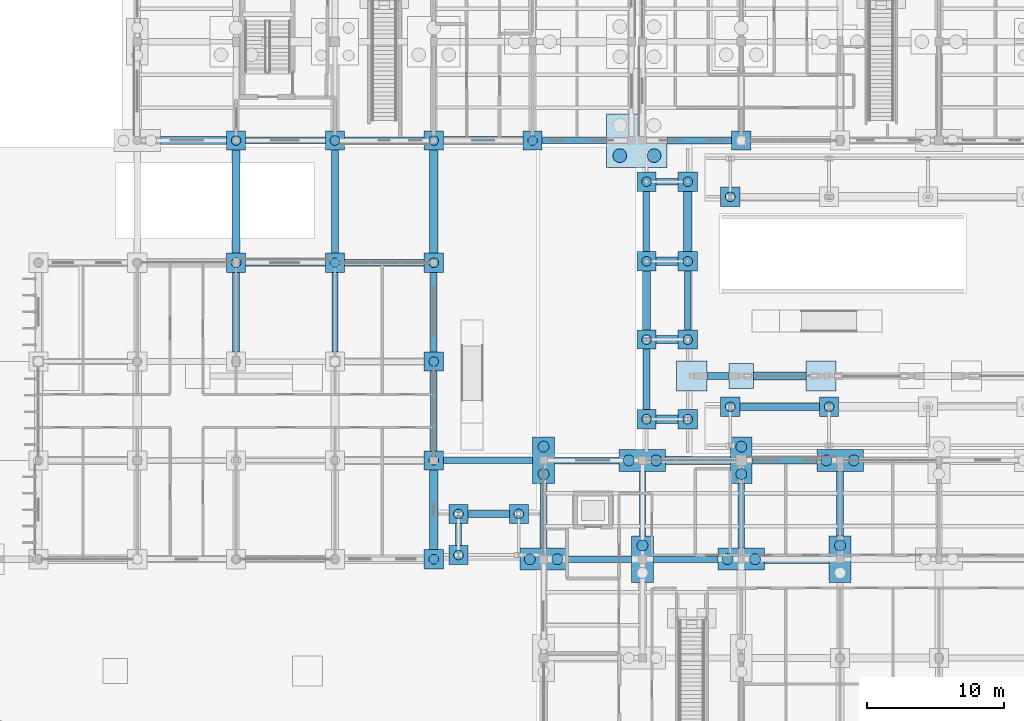
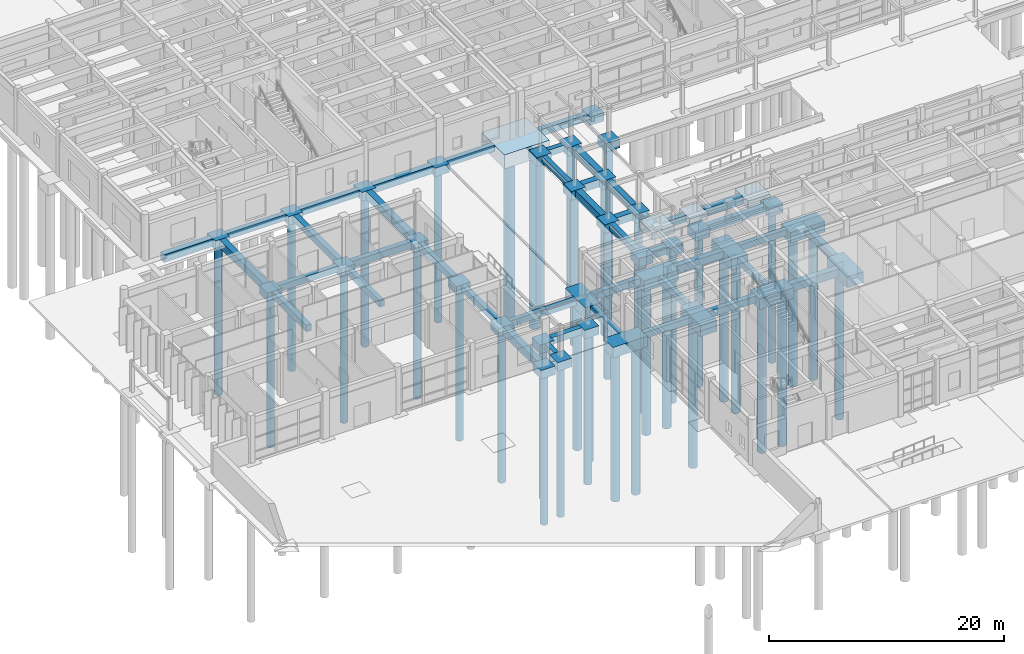
# One storey, part 2 of 143: 78 footings, 40 piles.
"""IFC4 building model written with IfcOpenShell, lengths in metres."""

from ifc_helpers import new_model, si_unit, direction, frame, origin, origin_2d, place, context, subcontext, project, spatial, rectangle, circle, extrude, material, material_profile, profile_set, type_object, element, save


model = new_model("IFC4")

# Units and contexts
model_context = context("Model", 3, precision=1e-05, world=origin(), true_north=direction((0.0, 1.0)))
body_context = subcontext(model_context, "Body", "Model", "MODEL_VIEW")
ifc_project = project(units=[si_unit("LENGTHUNIT", "METRE"), si_unit("AREAUNIT", "SQUARE_METRE"), si_unit("VOLUMEUNIT", "CUBIC_METRE"), si_unit("PLANEANGLEUNIT", "RADIAN"), si_unit("MASSUNIT", "GRAM", prefix="KILO")], contexts=[model_context])

# Site, building, storey
site_placement = place(None, origin())
site = spatial("IfcSite", under=ifc_project, at=site_placement, CompositionType="ELEMENT")
building_placement = place(site_placement, origin())
building = spatial("IfcBuilding", under=site, at=building_placement, Name="Steenspoor Specialist Clinic", CompositionType="ELEMENT")
storey_placement = place(building_placement, origin())
storey = spatial("IfcBuildingStorey", under=building, at=storey_placement, Name="L00", CompositionType="ELEMENT", Elevation=0.0)

# Footings
ifc_material = material(Name="Concrete C35/45", Category="concrete")
footing_type_1 = type_object("IfcFootingType", Name="FTG-PAD-180", PredefinedType="PAD_FOOTING", material=ifc_material)
footing_1_placement = place(storey_placement, frame((59.60009765625, 48.0, -0.64990234375), z_axis=(0.0, 0.0, 1.0), x_axis=(1.0, 0.0, 0.0)))
element("IfcFooting", 1, at=footing_1_placement, inside=storey, type_object=footing_type_1, Name="Pad Footing FTG-PAD-055", PredefinedType="PAD_FOOTING", context=body_context, shape_type="SweptSolid", body=[
    extrude(rectangle(XDim=1.800048828125, YDim=1.800048828125, at=origin_2d()), origin(), (0.0, 0.0, 1.0), 0.64990234375),
])
footing_type_2 = type_object("IfcFootingType", Name="FTG-PAD-220", PredefinedType="PAD_FOOTING", material=ifc_material)
for number, where, z_axis, x_axis, name in (
    (2, (56.0, 48.0, -0.75), (0.0, 0.0, 1.0), (1.0, 0.0, 0.0), "Pad Footing FTG-PAD-054"),
    (3, (65.39990234375, 48.0, -0.75), (0.0, 0.0, 1.0), (1.0, 0.0, 0.0), "Pad Footing FTG-PAD-056"),
):
    element("IfcFooting", number, at=place(storey_placement, frame(where, z_axis=z_axis, x_axis=x_axis)), inside=storey, type_object=footing_type_2, Name=name, PredefinedType="PAD_FOOTING", context=body_context, shape_type="SweptSolid", body=[
        extrude(rectangle(XDim=2.199951171875, YDim=2.199951171875, at=origin_2d()), origin(), (0.0, 0.0, 1.0), 0.75),
    ])
footing_type_3 = type_object("IfcFootingType", Name="FTG-PC-1P-700", PredefinedType="PILE_CAP", material=ifc_material)
for number, where, z_axis, x_axis, name in (
    (4, (22.800048828125, 56.25, -0.89990234375), (0.0, 0.0, 1.0), (1.0, 0.0, 0.0), "Pile Cap FTG-PC-091"),
    (5, (30.0, 56.25, -0.89990234375), (0.0, 0.0, 1.0), (1.0, 0.0, 0.0), "Pile Cap FTG-PC-095"),
    (6, (37.199951171875, 34.64990234375, -0.89990234375), (0.0, 0.0, 1.0), (1.0, 0.0, 0.0), "Pile Cap FTG-PC-096"),
    (7, (37.199951171875, 41.85009765625, -0.89990234375), (0.0, 0.0, 1.0), (1.0, 0.0, 0.0), "Pile Cap FTG-PC-097"),
    (8, (37.199951171875, 49.050048828125, -0.89990234375), (0.0, 0.0, 1.0), (1.0, 0.0, 0.0), "Pile Cap FTG-PC-098"),
    (9, (37.199951171875, 56.25, -0.89990234375), (0.0, 0.0, 1.0), (1.0, 0.0, 0.0), "Pile Cap FTG-PC-099"),
    (10, (59.60009765625, 65.14990234375, -0.89990234375), (0.0, 0.0, 1.0), (1.0, 0.0, 0.0), "Pile Cap FTG-PC-107"),
    (11, (22.800048828125, 65.14990234375, -0.89990234375), (0.0, 0.0, 1.0), (1.0, 0.0, 0.0), "Pile Cap FTG-PC-173"),
    (12, (30.0, 65.14990234375, -0.89990234375), (0.0, 0.0, 1.0), (1.0, 0.0, 0.0), "Pile Cap FTG-PC-178"),
    (13, (37.199951171875, 65.14990234375, -0.89990234375), (0.0, 0.0, 1.0), (1.0, 0.0, 0.0), "Pile Cap FTG-PC-185"),
    (14, (44.39990234375, 65.14990234375, -0.89990234375), (0.0, 0.0, 1.0), (1.0, 0.0, 0.0), "Pile Cap FTG-PC-192"),
    (15, (52.699951171875, 44.85009765625, -0.89990234375), (0.0, 0.0, 1.0), (1.0, 0.0, 0.0), "Pad Footing FTG-PAD-009"),
    (16, (55.699951171875, 44.85009765625, -0.89990234375), (0.0, 0.0, 1.0), (1.0, 0.0, 0.0), "Pad Footing FTG-PAD-010"),
    (17, (52.699951171875, 50.64990234375, -0.89990234375), (0.0, 0.0, 1.0), (1.0, 0.0, 0.0), "Pad Footing FTG-PAD-011"),
    (18, (55.699951171875, 50.64990234375, -0.89990234375), (0.0, 0.0, 1.0), (1.0, 0.0, 0.0), "Pad Footing FTG-PAD-012"),
    (19, (52.699951171875, 56.35009765625, -0.89990234375), (0.0, 0.0, 1.0), (1.0, 0.0, 0.0), "Pad Footing FTG-PAD-013"),
    (20, (55.699951171875, 56.35009765625, -0.89990234375), (0.0, 0.0, 1.0), (1.0, 0.0, 0.0), "Pad Footing FTG-PAD-014"),
    (21, (52.699951171875, 62.14990234375, -0.89990234375), (0.0, 0.0, 1.0), (1.0, 0.0, 0.0), "Pad Footing FTG-PAD-015"),
    (22, (55.699951171875, 62.14990234375, -0.89990234375), (0.0, 0.0, 1.0), (1.0, 0.0, 0.0), "Pad Footing FTG-PAD-016"),
    (23, (39.0, 34.949951171875, -0.89990234375), (0.0, 0.0, 1.0), (1.0, 0.0, 0.0), "Pad Footing FTG-PAD-025"),
    (24, (39.0, 37.949951171875, -0.89990234375), (0.0, 0.0, 1.0), (1.0, 0.0, 0.0), "Pad Footing FTG-PAD-026"),
    (25, (43.39990234375, 37.949951171875, -0.89990234375), (0.0, 0.0, 1.0), (1.0, 0.0, 0.0), "Pad Footing FTG-PAD-027"),
    (26, (58.800048828125, 61.050048828125, -0.89990234375), (0.0, 0.0, 1.0), (1.0, 0.0, 0.0), "Pad Footing FTG-PAD-028"),
    (27, (58.800048828125, 45.75, -0.89990234375), (0.0, 0.0, 1.0), (1.0, 0.0, 0.0), "Pad Footing FTG-PAD-037"),
    (28, (66.0, 45.75, -0.89990234375), (0.0, 0.0, 1.0), (1.0, 0.0, 0.0), "Pad Footing FTG-PAD-038"),
):
    element("IfcFooting", number, at=place(storey_placement, frame(where, z_axis=z_axis, x_axis=x_axis)), inside=storey, type_object=footing_type_3, Name=name, PredefinedType="PILE_CAP", context=body_context, shape_type="SweptSolid", body=[
        extrude(rectangle(XDim=1.39990234375, YDim=1.39990234375, at=origin_2d()), origin(), (0.0, 0.0, 1.0), 0.89990234375),
    ])
footing_type_4 = type_object("IfcFootingType", Name="FTG-PC-2P-800X", PredefinedType="PILE_CAP", material=ifc_material)
for number, where, z_axis, x_axis, name in (
    (29, (45.199951171875, 34.64990234375, -1.10009765625), (0.0, 0.0, 1.0), (1.0, 0.0, 0.0), "Pile Cap FTG-PC-004"),
    (30, (52.39990234375, 41.85009765625, -1.10009765625), (0.0, 0.0, 1.0), (1.0, 0.0, 0.0), "Pile Cap FTG-PC-008"),
    (31, (59.60009765625, 34.64990234375, -1.10009765625), (0.0, 0.0, 1.0), (1.0, 0.0, 0.0), "Pile Cap FTG-PC-012"),
    (32, (66.800048828125, 41.85009765625, -1.10009765625), (0.0, 0.0, 1.0), (1.0, 0.0, 0.0), "Pile Cap FTG-PC-018"),
):
    element("IfcFooting", number, at=place(storey_placement, frame(where, z_axis=z_axis, x_axis=x_axis)), inside=storey, type_object=footing_type_4, Name=name, PredefinedType="PILE_CAP", context=body_context, shape_type="SweptSolid", body=[
        extrude(rectangle(XDim=3.39990234375, YDim=1.60009765625, at=origin_2d()), origin(), (0.0, 0.0, 1.0), 1.10009765625),
    ])
footing_type_5 = type_object("IfcFootingType", Name="FTG-PC-2P-800Y", PredefinedType="PILE_CAP", material=ifc_material)
for number, where, z_axis, x_axis, name in (
    (33, (45.199951171875, 41.85009765625, -1.14990234375), (0.0, 0.0, 1.0), (1.0, 0.0, 0.0), "Pile Cap FTG-PC-005"),
    (34, (52.39990234375, 34.64990234375, -1.14990234375), (0.0, 0.0, 1.0), (1.0, 0.0, 0.0), "Pile Cap FTG-PC-007"),
    (35, (59.60009765625, 41.85009765625, -1.14990234375), (0.0, 0.0, 1.0), (1.0, 0.0, 0.0), "Pile Cap FTG-PC-013"),
    (36, (66.800048828125, 34.64990234375, -1.14990234375), (0.0, 0.0, 1.0), (1.0, 0.0, 0.0), "Pile Cap FTG-PC-017"),
):
    element("IfcFooting", number, at=place(storey_placement, frame(where, z_axis=z_axis, x_axis=x_axis)), inside=storey, type_object=footing_type_5, Name=name, PredefinedType="PILE_CAP", context=body_context, shape_type="SweptSolid", body=[
        extrude(rectangle(XDim=1.60009765625, YDim=3.39990234375, at=origin_2d()), origin(), (0.0, 0.0, 1.0), 1.14990234375),
    ])
footing_type_6 = type_object("IfcFootingType", Name="FTG-PC-SJ-4P", PredefinedType="PILE_CAP", material=ifc_material)
footing_2_placement = place(storey_placement, frame((52.0, 65.14990234375, -1.4501953125), z_axis=(0.0, 0.0, 1.0), x_axis=(1.0, 0.0, 0.0)))
element("IfcFooting", 37, at=footing_2_placement, inside=storey, type_object=footing_type_6, Name="Pile Cap FTG-PC-100", PredefinedType="PILE_CAP", context=body_context, shape_type="SweptSolid", body=[
    extrude(rectangle(XDim=4.39990234375, YDim=3.89990234375, at=origin_2d()), origin(), (0.0, 0.0, 1.0), 1.449951171875),
])
footing_type_7 = type_object("IfcFootingType", Name="FTG-TB-450X650", PredefinedType="FOOTING_BEAM", material=ifc_material)
footing_3_placement = place(storey_placement, frame((49.25, 34.64990234375, -0.64990234375), z_axis=(0.0, 0.0, 1.0), x_axis=(1.0, 0.0, 0.0)))
element("IfcFooting", 38, at=footing_3_placement, inside=storey, type_object=footing_type_7, Name="Seismic Tie Beam FTG-TB-053", PredefinedType="FOOTING_BEAM", context=body_context, shape_type="SweptSolid", body=[
    extrude(rectangle(XDim=4.699951171875, YDim=0.449951171875, at=origin_2d()), origin(), (0.0, 0.0, 1.0), 0.64990234375),
])
footing_4_placement = place(storey_placement, frame((41.14990234375, 41.85009765625, -0.64990234375), z_axis=(0.0, 0.0, 1.0), x_axis=(1.0, 0.0, 0.0)))
element("IfcFooting", 39, at=footing_4_placement, inside=storey, type_object=footing_type_7, Name="Seismic Tie Beam FTG-TB-074", PredefinedType="FOOTING_BEAM", context=body_context, shape_type="SweptSolid", body=[
    extrude(rectangle(XDim=6.5, YDim=0.449951171875, at=origin_2d()), origin(), (0.0, 0.0, 1.0), 0.64990234375),
])
footing_5_placement = place(storey_placement, frame((62.75, 41.85009765625, -0.64990234375), z_axis=(0.0, 0.0, 1.0), x_axis=(1.0, 0.0, 0.0)))
element("IfcFooting", 40, at=footing_5_placement, inside=storey, type_object=footing_type_7, Name="Seismic Tie Beam FTG-TB-077", PredefinedType="FOOTING_BEAM", context=body_context, shape_type="SweptSolid", body=[
    extrude(rectangle(XDim=4.699951171875, YDim=0.449951171875, at=origin_2d()), origin(), (0.0, 0.0, 1.0), 0.64990234375),
])
footing_6_placement = place(storey_placement, frame((26.39990234375, 56.25, -0.64990234375), z_axis=(0.0, 0.0, 1.0), x_axis=(1.0, 0.0, 0.0)))
element("IfcFooting", 41, at=footing_6_placement, inside=storey, type_object=footing_type_7, Name="Seismic Tie Beam FTG-TB-116", PredefinedType="FOOTING_BEAM", context=body_context, shape_type="SweptSolid", body=[
    extrude(rectangle(XDim=5.800048828125, YDim=0.449951171875, at=origin_2d()), origin(), (0.0, 0.0, 1.0), 0.64990234375),
])
footing_7_placement = place(storey_placement, frame((54.199951171875, 62.14990234375, -0.64990234375), z_axis=(0.0, 0.0, 1.0), x_axis=(1.0, 0.0, 0.0)))
element("IfcFooting", 42, at=footing_7_placement, inside=storey, type_object=footing_type_7, Name="Seismic Tie Beam FTG-TB-128", PredefinedType="FOOTING_BEAM", context=body_context, shape_type="SweptSolid", body=[
    extrude(rectangle(XDim=1.60009765625, YDim=0.449951171875, at=origin_2d()), origin(), (0.0, 0.0, 1.0), 0.64990234375),
])
footing_8_placement = place(storey_placement, frame((26.39990234375, 65.14990234375, -0.64990234375), z_axis=(0.0, 0.0, 1.0), x_axis=(1.0, 0.0, 0.0)))
element("IfcFooting", 43, at=footing_8_placement, inside=storey, type_object=footing_type_7, Name="Seismic Tie Beam FTG-TB-131", PredefinedType="FOOTING_BEAM", context=body_context, shape_type="SweptSolid", body=[
    extrude(rectangle(XDim=5.800048828125, YDim=0.449951171875, at=origin_2d()), origin(), (0.0, 0.0, 1.0), 0.64990234375),
])
footing_9_placement = place(storey_placement, frame((47.449951171875, 65.14990234375, -0.64990234375), z_axis=(0.0, 0.0, 1.0), x_axis=(1.0, 0.0, 0.0)))
element("IfcFooting", 44, at=footing_9_placement, inside=storey, type_object=footing_type_7, Name="Seismic Tie Beam FTG-TB-134", PredefinedType="FOOTING_BEAM", context=body_context, shape_type="SweptSolid", body=[
    extrude(rectangle(XDim=4.699951171875, YDim=0.449951171875, at=origin_2d()), origin(), (0.0, 0.0, 1.0), 0.64990234375),
])
for number, where, z_axis, x_axis, name in (
    (45, (30.0, 52.64990234375, -0.64990234375), (0.0, 0.0, 1.0), (1.0, 0.0, 0.0), "Seismic Tie Beam FTG-TB-287"),
    (46, (37.199951171875, 45.449951171875, -0.64990234375), (0.0, 0.0, 1.0), (1.0, 0.0, 0.0), "Seismic Tie Beam FTG-TB-296"),
):
    element("IfcFooting", number, at=place(storey_placement, frame(where, z_axis=z_axis, x_axis=x_axis)), inside=storey, type_object=footing_type_7, Name=name, PredefinedType="FOOTING_BEAM", context=body_context, shape_type="SweptSolid", body=[
        extrude(rectangle(XDim=0.449951171875, YDim=5.800048828125, at=origin_2d()), origin(), (0.0, 0.0, 1.0), 0.64990234375),
    ])
footing_10_placement = place(storey_placement, frame((39.0, 36.449951171875, -0.64990234375), z_axis=(0.0, 0.0, 1.0), x_axis=(1.0, 0.0, 0.0)))
element("IfcFooting", 47, at=footing_10_placement, inside=storey, type_object=footing_type_7, Name="Seismic Tie Beam FTG-TB-305", PredefinedType="FOOTING_BEAM", context=body_context, shape_type="SweptSolid", body=[
    extrude(rectangle(XDim=0.449951171875, YDim=1.60009765625, at=origin_2d()), origin(), (0.0, 0.0, 1.0), 0.64990234375),
])
footing_11_placement = place(storey_placement, frame((52.39990234375, 38.699951171875, -0.64990234375), z_axis=(0.0, 0.0, 1.0), x_axis=(1.0, 0.0, 0.0)))
element("IfcFooting", 48, at=footing_11_placement, inside=storey, type_object=footing_type_7, Name="Seismic Tie Beam FTG-TB-323", PredefinedType="FOOTING_BEAM", context=body_context, shape_type="SweptSolid", body=[
    extrude(rectangle(XDim=0.449951171875, YDim=4.699951171875, at=origin_2d()), origin(), (0.0, 0.0, 1.0), 0.64990234375),
])
footing_12_placement = place(storey_placement, frame((52.699951171875, 59.25, -0.64990234375), z_axis=(0.0, 0.0, 1.0), x_axis=(1.0, 0.0, 0.0)))
element("IfcFooting", 49, at=footing_12_placement, inside=storey, type_object=footing_type_7, Name="Seismic Tie Beam FTG-TB-326", PredefinedType="FOOTING_BEAM", context=body_context, shape_type="SweptSolid", body=[
    extrude(rectangle(XDim=0.449951171875, YDim=4.39990234375, at=origin_2d()), origin(), (0.0, 0.0, 1.0), 0.64990234375),
])
footing_13_placement = place(storey_placement, frame((59.60009765625, 37.800048828125, -0.64990234375), z_axis=(0.0, 0.0, 1.0), x_axis=(1.0, 0.0, 0.0)))
element("IfcFooting", 50, at=footing_13_placement, inside=storey, type_object=footing_type_7, Name="Seismic Tie Beam FTG-TB-332", PredefinedType="FOOTING_BEAM", context=body_context, shape_type="SweptSolid", body=[
    extrude(rectangle(XDim=0.449951171875, YDim=4.699951171875, at=origin_2d()), origin(), (0.0, 0.0, 1.0), 0.64990234375),
])
footing_type_8 = type_object("IfcFootingType", Name="FTG-TB-500X700", PredefinedType="FOOTING_BEAM", material=ifc_material)
footing_14_placement = place(storey_placement, frame((55.550048828125, 34.64990234375, -0.7001953125), z_axis=(0.0, 0.0, 1.0), x_axis=(1.0, 0.0, 0.0)))
element("IfcFooting", 51, at=footing_14_placement, inside=storey, type_object=footing_type_8, Name="Seismic Tie Beam FTG-TB-054", PredefinedType="FOOTING_BEAM", context=body_context, shape_type="SweptSolid", body=[
    extrude(rectangle(XDim=4.699951171875, YDim=0.5, at=origin_2d()), origin(), (0.0, 0.0, 1.0), 0.699951171875),
])
footing_15_placement = place(storey_placement, frame((41.199951171875, 37.949951171875, -0.7001953125), z_axis=(0.0, 0.0, 1.0), x_axis=(1.0, 0.0, 0.0)))
element("IfcFooting", 52, at=footing_15_placement, inside=storey, type_object=footing_type_8, Name="Seismic Tie Beam FTG-TB-069", PredefinedType="FOOTING_BEAM", context=body_context, shape_type="SweptSolid", body=[
    extrude(rectangle(XDim=3.0, YDim=0.5, at=origin_2d()), origin(), (0.0, 0.0, 1.0), 0.699951171875),
])
footing_16_placement = place(storey_placement, frame((48.35009765625, 41.85009765625, -0.7001953125), z_axis=(0.0, 0.0, 1.0), x_axis=(1.0, 0.0, 0.0)))
element("IfcFooting", 53, at=footing_16_placement, inside=storey, type_object=footing_type_8, Name="Seismic Tie Beam FTG-TB-075", PredefinedType="FOOTING_BEAM", context=body_context, shape_type="SweptSolid", body=[
    extrude(rectangle(XDim=4.699951171875, YDim=0.5, at=origin_2d()), origin(), (0.0, 0.0, 1.0), 0.699951171875),
])
footing_17_placement = place(storey_placement, frame((62.39990234375, 45.75, -0.7001953125), z_axis=(0.0, 0.0, 1.0), x_axis=(1.0, 0.0, 0.0)))
element("IfcFooting", 54, at=footing_17_placement, inside=storey, type_object=footing_type_8, Name="Seismic Tie Beam FTG-TB-093", PredefinedType="FOOTING_BEAM", context=body_context, shape_type="SweptSolid", body=[
    extrude(rectangle(XDim=5.800048828125, YDim=0.5, at=origin_2d()), origin(), (0.0, 0.0, 1.0), 0.699951171875),
])
footing_18_placement = place(storey_placement, frame((57.89990234375, 48.0, -0.7001953125), z_axis=(0.0, 0.0, 1.0), x_axis=(1.0, 0.0, 0.0)))
element("IfcFooting", 55, at=footing_18_placement, inside=storey, type_object=footing_type_8, Name="Seismic Tie Beam FTG-TB-102", PredefinedType="FOOTING_BEAM", context=body_context, shape_type="SweptSolid", body=[
    extrude(rectangle(XDim=1.60009765625, YDim=0.5, at=origin_2d()), origin(), (0.0, 0.0, 1.0), 0.699951171875),
])
for number, where, z_axis, x_axis, name in (
    (56, (33.60009765625, 56.25, -0.7001953125), (0.0, 0.0, 1.0), (1.0, 0.0, 0.0), "Seismic Tie Beam FTG-TB-117"),
    (57, (33.60009765625, 65.14990234375, -0.7001953125), (0.0, 0.0, 1.0), (1.0, 0.0, 0.0), "Seismic Tie Beam FTG-TB-132"),
):
    element("IfcFooting", number, at=place(storey_placement, frame(where, z_axis=z_axis, x_axis=x_axis)), inside=storey, type_object=footing_type_8, Name=name, PredefinedType="FOOTING_BEAM", context=body_context, shape_type="SweptSolid", body=[
        extrude(rectangle(XDim=5.800048828125, YDim=0.5, at=origin_2d()), origin(), (0.0, 0.0, 1.0), 0.699951171875),
    ])
footing_19_placement = place(storey_placement, frame((56.550048828125, 65.14990234375, -0.7001953125), z_axis=(0.0, 0.0, 1.0), x_axis=(1.0, 0.0, 0.0)))
element("IfcFooting", 58, at=footing_19_placement, inside=storey, type_object=footing_type_8, Name="Seismic Tie Beam FTG-TB-135", PredefinedType="FOOTING_BEAM", context=body_context, shape_type="SweptSolid", body=[
    extrude(rectangle(XDim=4.699951171875, YDim=0.5, at=origin_2d()), origin(), (0.0, 0.0, 1.0), 0.699951171875),
])
footing_20_placement = place(storey_placement, frame((22.800048828125, 52.64990234375, -0.7001953125), z_axis=(0.0, 0.0, 1.0), x_axis=(1.0, 0.0, 0.0)))
element("IfcFooting", 59, at=footing_20_placement, inside=storey, type_object=footing_type_8, Name="Seismic Tie Beam FTG-TB-279", PredefinedType="FOOTING_BEAM", context=body_context, shape_type="SweptSolid", body=[
    extrude(rectangle(XDim=0.5, YDim=5.800048828125, at=origin_2d()), origin(), (0.0, 0.0, 1.0), 0.699951171875),
])
footing_21_placement = place(storey_placement, frame((30.0, 60.699951171875, -0.7001953125), z_axis=(0.0, 0.0, 1.0), x_axis=(1.0, 0.0, 0.0)))
element("IfcFooting", 60, at=footing_21_placement, inside=storey, type_object=footing_type_8, Name="Seismic Tie Beam FTG-TB-288", PredefinedType="FOOTING_BEAM", context=body_context, shape_type="SweptSolid", body=[
    extrude(rectangle(XDim=0.5, YDim=7.5, at=origin_2d()), origin(), (0.0, 0.0, 1.0), 0.699951171875),
])
footing_22_placement = place(storey_placement, frame((37.199951171875, 52.64990234375, -0.7001953125), z_axis=(0.0, 0.0, 1.0), x_axis=(1.0, 0.0, 0.0)))
element("IfcFooting", 61, at=footing_22_placement, inside=storey, type_object=footing_type_8, Name="Seismic Tie Beam FTG-TB-297", PredefinedType="FOOTING_BEAM", context=body_context, shape_type="SweptSolid", body=[
    extrude(rectangle(XDim=0.5, YDim=5.800048828125, at=origin_2d()), origin(), (0.0, 0.0, 1.0), 0.699951171875),
])
footing_23_placement = place(storey_placement, frame((45.199951171875, 37.800048828125, -0.7001953125), z_axis=(0.0, 0.0, 1.0), x_axis=(1.0, 0.0, 0.0)))
element("IfcFooting", 62, at=footing_23_placement, inside=storey, type_object=footing_type_8, Name="Seismic Tie Beam FTG-TB-315", PredefinedType="FOOTING_BEAM", context=body_context, shape_type="SweptSolid", body=[
    extrude(rectangle(XDim=0.5, YDim=4.699951171875, at=origin_2d()), origin(), (0.0, 0.0, 1.0), 0.699951171875),
])
footing_24_placement = place(storey_placement, frame((52.699951171875, 47.75, -0.7001953125), z_axis=(0.0, 0.0, 1.0), x_axis=(1.0, 0.0, 0.0)))
element("IfcFooting", 63, at=footing_24_placement, inside=storey, type_object=footing_type_8, Name="Seismic Tie Beam FTG-TB-324", PredefinedType="FOOTING_BEAM", context=body_context, shape_type="SweptSolid", body=[
    extrude(rectangle(XDim=0.5, YDim=4.39990234375, at=origin_2d()), origin(), (0.0, 0.0, 1.0), 0.699951171875),
])
footing_25_placement = place(storey_placement, frame((55.699951171875, 53.5, -0.7001953125), z_axis=(0.0, 0.0, 1.0), x_axis=(1.0, 0.0, 0.0)))
element("IfcFooting", 64, at=footing_25_placement, inside=storey, type_object=footing_type_8, Name="Seismic Tie Beam FTG-TB-327", PredefinedType="FOOTING_BEAM", context=body_context, shape_type="SweptSolid", body=[
    extrude(rectangle(XDim=0.5, YDim=4.300048828125, at=origin_2d()), origin(), (0.0, 0.0, 1.0), 0.699951171875),
])
footing_26_placement = place(storey_placement, frame((66.800048828125, 38.699951171875, -0.7001953125), z_axis=(0.0, 0.0, 1.0), x_axis=(1.0, 0.0, 0.0)))
element("IfcFooting", 65, at=footing_26_placement, inside=storey, type_object=footing_type_8, Name="Seismic Tie Beam FTG-TB-342", PredefinedType="FOOTING_BEAM", context=body_context, shape_type="SweptSolid", body=[
    extrude(rectangle(XDim=0.5, YDim=4.699951171875, at=origin_2d()), origin(), (0.0, 0.0, 1.0), 0.699951171875),
])
footing_type_9 = type_object("IfcFootingType", Name="FTG-TB-600X800", PredefinedType="FOOTING_BEAM", material=ifc_material)
for number, where, z_axis, x_axis, name in (
    (66, (63.64990234375, 34.64990234375, -0.7998046875), (0.0, 0.0, 1.0), (1.0, 0.0, 0.0), "Seismic Tie Beam FTG-TB-055"),
    (67, (56.449951171875, 41.85009765625, -0.7998046875), (0.0, 0.0, 1.0), (1.0, 0.0, 0.0), "Seismic Tie Beam FTG-TB-076"),
):
    element("IfcFooting", number, at=place(storey_placement, frame(where, z_axis=z_axis, x_axis=x_axis)), inside=storey, type_object=footing_type_9, Name=name, PredefinedType="FOOTING_BEAM", context=body_context, shape_type="SweptSolid", body=[
        extrude(rectangle(XDim=4.699951171875, YDim=0.60009765625, at=origin_2d()), origin(), (0.0, 0.0, 1.0), 0.800048828125),
    ])
footing_27_placement = place(storey_placement, frame((54.199951171875, 44.85009765625, -0.7998046875), z_axis=(0.0, 0.0, 1.0), x_axis=(1.0, 0.0, 0.0)))
element("IfcFooting", 68, at=footing_27_placement, inside=storey, type_object=footing_type_9, Name="Seismic Tie Beam FTG-TB-091", PredefinedType="FOOTING_BEAM", context=body_context, shape_type="SweptSolid", body=[
    extrude(rectangle(XDim=1.60009765625, YDim=0.60009765625, at=origin_2d()), origin(), (0.0, 0.0, 1.0), 0.800048828125),
])
footing_28_placement = place(storey_placement, frame((62.39990234375, 48.0, -0.7998046875), z_axis=(0.0, 0.0, 1.0), x_axis=(1.0, 0.0, 0.0)))
element("IfcFooting", 69, at=footing_28_placement, inside=storey, type_object=footing_type_9, Name="Seismic Tie Beam FTG-TB-103", PredefinedType="FOOTING_BEAM", context=body_context, shape_type="SweptSolid", body=[
    extrude(rectangle(XDim=3.800048828125, YDim=0.60009765625, at=origin_2d()), origin(), (0.0, 0.0, 1.0), 0.800048828125),
])
for number, where, z_axis, x_axis, name in (
    (70, (54.199951171875, 50.64990234375, -0.7998046875), (0.0, 0.0, 1.0), (1.0, 0.0, 0.0), "Seismic Tie Beam FTG-TB-112"),
    (71, (54.199951171875, 56.35009765625, -0.7998046875), (0.0, 0.0, 1.0), (1.0, 0.0, 0.0), "Seismic Tie Beam FTG-TB-118"),
):
    element("IfcFooting", number, at=place(storey_placement, frame(where, z_axis=z_axis, x_axis=x_axis)), inside=storey, type_object=footing_type_9, Name=name, PredefinedType="FOOTING_BEAM", context=body_context, shape_type="SweptSolid", body=[
        extrude(rectangle(XDim=1.60009765625, YDim=0.60009765625, at=origin_2d()), origin(), (0.0, 0.0, 1.0), 0.800048828125),
    ])
footing_29_placement = place(storey_placement, frame((19.699951171875, 65.14990234375, -0.7998046875), z_axis=(0.0, 0.0, 1.0), x_axis=(1.0, 0.0, 0.0)))
element("IfcFooting", 72, at=footing_29_placement, inside=storey, type_object=footing_type_9, Name="Seismic Tie Beam FTG-TB-130", PredefinedType="FOOTING_BEAM", context=body_context, shape_type="SweptSolid", body=[
    extrude(rectangle(XDim=4.800048828125, YDim=0.60009765625, at=origin_2d()), origin(), (0.0, 0.0, 1.0), 0.800048828125),
])
footing_30_placement = place(storey_placement, frame((40.800048828125, 65.14990234375, -0.7998046875), z_axis=(0.0, 0.0, 1.0), x_axis=(1.0, 0.0, 0.0)))
element("IfcFooting", 73, at=footing_30_placement, inside=storey, type_object=footing_type_9, Name="Seismic Tie Beam FTG-TB-133", PredefinedType="FOOTING_BEAM", context=body_context, shape_type="SweptSolid", body=[
    extrude(rectangle(XDim=5.800048828125, YDim=0.60009765625, at=origin_2d()), origin(), (0.0, 0.0, 1.0), 0.800048828125),
])
footing_31_placement = place(storey_placement, frame((22.800048828125, 60.699951171875, -0.7998046875), z_axis=(0.0, 0.0, 1.0), x_axis=(1.0, 0.0, 0.0)))
element("IfcFooting", 74, at=footing_31_placement, inside=storey, type_object=footing_type_9, Name="Seismic Tie Beam FTG-TB-280", PredefinedType="FOOTING_BEAM", context=body_context, shape_type="SweptSolid", body=[
    extrude(rectangle(XDim=0.60009765625, YDim=7.5, at=origin_2d()), origin(), (0.0, 0.0, 1.0), 0.800048828125),
])
footing_32_placement = place(storey_placement, frame((37.199951171875, 38.25, -0.7998046875), z_axis=(0.0, 0.0, 1.0), x_axis=(1.0, 0.0, 0.0)))
element("IfcFooting", 75, at=footing_32_placement, inside=storey, type_object=footing_type_9, Name="Seismic Tie Beam FTG-TB-295", PredefinedType="FOOTING_BEAM", context=body_context, shape_type="SweptSolid", body=[
    extrude(rectangle(XDim=0.60009765625, YDim=5.800048828125, at=origin_2d()), origin(), (0.0, 0.0, 1.0), 0.800048828125),
])
footing_33_placement = place(storey_placement, frame((37.199951171875, 60.699951171875, -0.7998046875), z_axis=(0.0, 0.0, 1.0), x_axis=(1.0, 0.0, 0.0)))
element("IfcFooting", 76, at=footing_33_placement, inside=storey, type_object=footing_type_9, Name="Seismic Tie Beam FTG-TB-298", PredefinedType="FOOTING_BEAM", context=body_context, shape_type="SweptSolid", body=[
    extrude(rectangle(XDim=0.60009765625, YDim=7.5, at=origin_2d()), origin(), (0.0, 0.0, 1.0), 0.800048828125),
])
footing_34_placement = place(storey_placement, frame((52.699951171875, 53.5, -0.7998046875), z_axis=(0.0, 0.0, 1.0), x_axis=(1.0, 0.0, 0.0)))
element("IfcFooting", 77, at=footing_34_placement, inside=storey, type_object=footing_type_9, Name="Seismic Tie Beam FTG-TB-325", PredefinedType="FOOTING_BEAM", context=body_context, shape_type="SweptSolid", body=[
    extrude(rectangle(XDim=0.60009765625, YDim=4.300048828125, at=origin_2d()), origin(), (0.0, 0.0, 1.0), 0.800048828125),
])
footing_35_placement = place(storey_placement, frame((55.699951171875, 59.25, -0.7998046875), z_axis=(0.0, 0.0, 1.0), x_axis=(1.0, 0.0, 0.0)))
element("IfcFooting", 78, at=footing_35_placement, inside=storey, type_object=footing_type_9, Name="Seismic Tie Beam FTG-TB-328", PredefinedType="FOOTING_BEAM", context=body_context, shape_type="SweptSolid", body=[
    extrude(rectangle(XDim=0.60009765625, YDim=4.39990234375, at=origin_2d()), origin(), (0.0, 0.0, 1.0), 0.800048828125),
])

# Piles
ifc_material_profile_1 = material_profile(ifc_material, circle(Radius=0.5, at=origin_2d()), Name="PILE-D1000")
ifc_profile_set_1 = profile_set([ifc_material_profile_1], Name="Concrete C35/45")
pile_type_1 = type_object("IfcPileType", Name="PILE-RC-D1000", PredefinedType="BORED", material=ifc_profile_set_1)
for number, where, z_axis, x_axis, name in (
    (79, (50.75, 64.050048828125, -1.35009765625), (0.0, 0.0, -1.0), (1.0, 0.0, 0.0), "Bored Pile PILE-0180"),
    (80, (53.25, 64.050048828125, -1.35009765625), (0.0, 0.0, -1.0), (1.0, 0.0, 0.0), "Bored Pile PILE-0181"),
):
    element("IfcPile", number, at=place(storey_placement, frame(where, z_axis=z_axis, x_axis=x_axis)), inside=storey, type_object=pile_type_1, Name=name, PredefinedType="BORED", context=body_context, shape_type="SweptSolid", body=[
        extrude(circle(Radius=0.5, at=origin_2d()), origin(), (0.0, 0.0, 1.0), 18.14990234375),
    ])
ifc_material_profile_2 = material_profile(ifc_material, circle(Radius=0.35009765625, at=origin_2d()), Name="PILE-D700")
ifc_profile_set_2 = profile_set([ifc_material_profile_2], Name="Concrete C35/45")
pile_type_2 = type_object("IfcPileType", Name="PILE-RC-D700", PredefinedType="BORED", material=ifc_profile_set_2)
for number, where, z_axis, x_axis, name in (
    (81, (22.800048828125, 56.25, -0.800048828125), (0.0, 0.0, -1.0), (1.0, 0.0, 0.0), "Bored Pile PILE-0171"),
    (82, (30.0, 56.25, -0.800048828125), (0.0, 0.0, -1.0), (1.0, 0.0, 0.0), "Bored Pile PILE-0175"),
    (83, (37.199951171875, 34.64990234375, -0.800048828125), (0.0, 0.0, -1.0), (1.0, 0.0, 0.0), "Bored Pile PILE-0176"),
    (84, (37.199951171875, 41.85009765625, -0.800048828125), (0.0, 0.0, -1.0), (1.0, 0.0, 0.0), "Bored Pile PILE-0177"),
    (85, (37.199951171875, 49.050048828125, -0.800048828125), (0.0, 0.0, -1.0), (1.0, 0.0, 0.0), "Bored Pile PILE-0178"),
    (86, (37.199951171875, 56.25, -0.800048828125), (0.0, 0.0, -1.0), (1.0, 0.0, 0.0), "Bored Pile PILE-0179"),
    (87, (22.800048828125, 65.14990234375, -0.800048828125), (0.0, 0.0, -1.0), (1.0, 0.0, 0.0), "Bored Pile PILE-0440"),
    (88, (30.0, 65.14990234375, -0.800048828125), (0.0, 0.0, -1.0), (1.0, 0.0, 0.0), "Bored Pile PILE-0453"),
    (89, (37.199951171875, 65.14990234375, -0.800048828125), (0.0, 0.0, -1.0), (1.0, 0.0, 0.0), "Bored Pile PILE-0472"),
    (90, (44.39990234375, 65.14990234375, -0.800048828125), (0.0, 0.0, -1.0), (1.0, 0.0, 0.0), "Bored Pile PILE-0491"),
    (91, (52.699951171875, 44.85009765625, -0.800048828125), (0.0, 0.0, -1.0), (1.0, 0.0, 0.0), "Bored Pile PILE-0618"),
    (92, (55.699951171875, 44.85009765625, -0.800048828125), (0.0, 0.0, -1.0), (1.0, 0.0, 0.0), "Bored Pile PILE-0619"),
    (93, (52.699951171875, 50.64990234375, -0.800048828125), (0.0, 0.0, -1.0), (1.0, 0.0, 0.0), "Bored Pile PILE-0620"),
    (94, (55.699951171875, 50.64990234375, -0.800048828125), (0.0, 0.0, -1.0), (1.0, 0.0, 0.0), "Bored Pile PILE-0621"),
    (95, (52.699951171875, 56.35009765625, -0.800048828125), (0.0, 0.0, -1.0), (1.0, 0.0, 0.0), "Bored Pile PILE-0622"),
    (96, (55.699951171875, 56.35009765625, -0.800048828125), (0.0, 0.0, -1.0), (1.0, 0.0, 0.0), "Bored Pile PILE-0623"),
    (97, (52.699951171875, 62.14990234375, -0.800048828125), (0.0, 0.0, -1.0), (1.0, 0.0, 0.0), "Bored Pile PILE-0624"),
    (98, (55.699951171875, 62.14990234375, -0.800048828125), (0.0, 0.0, -1.0), (1.0, 0.0, 0.0), "Bored Pile PILE-0625"),
    (99, (39.0, 34.949951171875, -0.800048828125), (0.0, 0.0, -1.0), (1.0, 0.0, 0.0), "Bored Pile PILE-0634"),
    (100, (39.0, 37.949951171875, -0.800048828125), (0.0, 0.0, -1.0), (1.0, 0.0, 0.0), "Bored Pile PILE-0635"),
    (101, (43.39990234375, 37.949951171875, -0.800048828125), (0.0, 0.0, -1.0), (1.0, 0.0, 0.0), "Bored Pile PILE-0636"),
    (102, (58.800048828125, 61.050048828125, -0.800048828125), (0.0, 0.0, -1.0), (1.0, 0.0, 0.0), "Bored Pile PILE-0637"),
    (103, (58.800048828125, 45.75, -0.800048828125), (0.0, 0.0, -1.0), (1.0, 0.0, 0.0), "Bored Pile PILE-0646"),
    (104, (66.0, 45.75, -0.800048828125), (0.0, 0.0, -1.0), (1.0, 0.0, 0.0), "Bored Pile PILE-0647"),
):
    element("IfcPile", number, at=place(storey_placement, frame(where, z_axis=z_axis, x_axis=x_axis)), inside=storey, type_object=pile_type_2, Name=name, PredefinedType="BORED", context=body_context, shape_type="SweptSolid", body=[
        extrude(circle(Radius=0.35009765625, at=origin_2d()), origin(), (0.0, 0.0, 1.0), 15.699951171875),
    ])
ifc_material_profile_3 = material_profile(ifc_material, circle(Radius=0.39990234375, at=origin_2d()), Name="PILE-D800")
ifc_profile_set_3 = profile_set([ifc_material_profile_3], Name="Concrete C35/45")
pile_type_3 = type_object("IfcPileType", Name="PILE-RC-D800", PredefinedType="BORED", material=ifc_profile_set_3)
for number, where, z_axis, x_axis, name in (
    (105, (44.199951171875, 34.64990234375, -1.0), (0.0, 0.0, -1.0), (1.0, 0.0, 0.0), "Bored Pile PILE-0007"),
    (106, (46.199951171875, 34.64990234375, -1.0), (0.0, 0.0, -1.0), (1.0, 0.0, 0.0), "Bored Pile PILE-0008"),
):
    element("IfcPile", number, at=place(storey_placement, frame(where, z_axis=z_axis, x_axis=x_axis)), inside=storey, type_object=pile_type_3, Name=name, PredefinedType="BORED", context=body_context, shape_type="SweptSolid", body=[
        extrude(circle(Radius=0.39990234375, at=origin_2d()), origin(), (0.0, 0.0, 1.0), 15.5),
    ])
for number, where, z_axis, x_axis, name in (
    (107, (45.199951171875, 40.85009765625, -1.050048828125), (0.0, 0.0, -1.0), (1.0, 0.0, 0.0), "Bored Pile PILE-0009"),
    (108, (45.199951171875, 42.85009765625, -1.050048828125), (0.0, 0.0, -1.0), (1.0, 0.0, 0.0), "Bored Pile PILE-0010"),
    (109, (52.39990234375, 35.64990234375, -1.050048828125), (0.0, 0.0, -1.0), (1.0, 0.0, 0.0), "Bored Pile PILE-0014"),
):
    element("IfcPile", number, at=place(storey_placement, frame(where, z_axis=z_axis, x_axis=x_axis)), inside=storey, type_object=pile_type_3, Name=name, PredefinedType="BORED", context=body_context, shape_type="SweptSolid", body=[
        extrude(circle(Radius=0.39990234375, at=origin_2d()), origin(), (0.0, 0.0, 1.0), 15.449951171875),
    ])
for number, where, z_axis, x_axis, name in (
    (110, (51.39990234375, 41.85009765625, -1.0), (0.0, 0.0, -1.0), (1.0, 0.0, 0.0), "Bored Pile PILE-0015"),
    (111, (53.39990234375, 41.85009765625, -1.0), (0.0, 0.0, -1.0), (1.0, 0.0, 0.0), "Bored Pile PILE-0016"),
    (112, (58.60009765625, 34.64990234375, -1.0), (0.0, 0.0, -1.0), (1.0, 0.0, 0.0), "Bored Pile PILE-0023"),
    (113, (60.60009765625, 34.64990234375, -1.0), (0.0, 0.0, -1.0), (1.0, 0.0, 0.0), "Bored Pile PILE-0024"),
):
    element("IfcPile", number, at=place(storey_placement, frame(where, z_axis=z_axis, x_axis=x_axis)), inside=storey, type_object=pile_type_3, Name=name, PredefinedType="BORED", context=body_context, shape_type="SweptSolid", body=[
        extrude(circle(Radius=0.39990234375, at=origin_2d()), origin(), (0.0, 0.0, 1.0), 15.5),
    ])
for number, where, z_axis, x_axis, name in (
    (114, (59.60009765625, 40.85009765625, -1.050048828125), (0.0, 0.0, -1.0), (1.0, 0.0, 0.0), "Bored Pile PILE-0025"),
    (115, (59.60009765625, 42.85009765625, -1.050048828125), (0.0, 0.0, -1.0), (1.0, 0.0, 0.0), "Bored Pile PILE-0026"),
    (116, (66.800048828125, 35.64990234375, -1.050048828125), (0.0, 0.0, -1.0), (1.0, 0.0, 0.0), "Bored Pile PILE-0033"),
):
    element("IfcPile", number, at=place(storey_placement, frame(where, z_axis=z_axis, x_axis=x_axis)), inside=storey, type_object=pile_type_3, Name=name, PredefinedType="BORED", context=body_context, shape_type="SweptSolid", body=[
        extrude(circle(Radius=0.39990234375, at=origin_2d()), origin(), (0.0, 0.0, 1.0), 15.449951171875),
    ])
for number, where, z_axis, x_axis, name in (
    (117, (65.800048828125, 41.85009765625, -1.0), (0.0, 0.0, -1.0), (1.0, 0.0, 0.0), "Bored Pile PILE-0034"),
    (118, (67.800048828125, 41.85009765625, -1.0), (0.0, 0.0, -1.0), (1.0, 0.0, 0.0), "Bored Pile PILE-0035"),
):
    element("IfcPile", number, at=place(storey_placement, frame(where, z_axis=z_axis, x_axis=x_axis)), inside=storey, type_object=pile_type_3, Name=name, PredefinedType="BORED", context=body_context, shape_type="SweptSolid", body=[
        extrude(circle(Radius=0.39990234375, at=origin_2d()), origin(), (0.0, 0.0, 1.0), 15.5),
    ])

save(model, "model.ifc")
